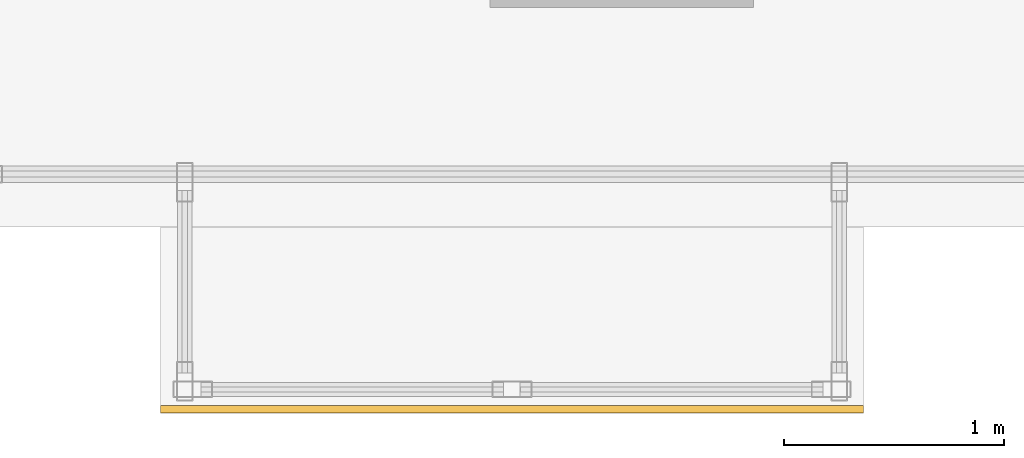
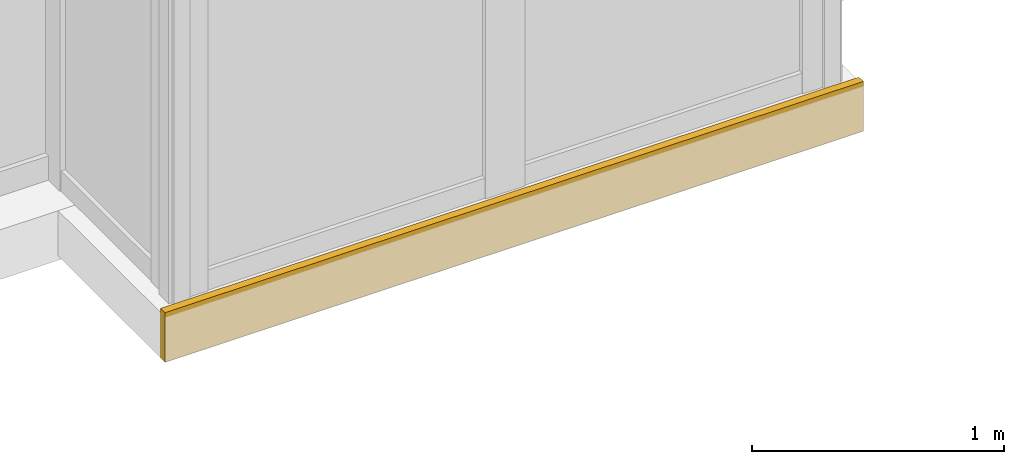
# One storey, part 26 of 27: 1 covering.
"""IFC4 building model written with IfcOpenShell, lengths in metres."""

import ifcopenshell
import ifcopenshell.guid

model = None  # the IFC model being written
_history = None  # IfcOwnerHistory: only IFC2X3 demands one
_inside = {}  # id of a spatial element -> (the spatial element, [elements in it])
_under = {}  # id of a project, library or spatial element -> (it, [spatial elements below it])
_declared = {}  # id of a project -> (the project, [libraries it declares])
_typed = {}  # id of a type object -> (the type object, [elements of that type])
_made_of = {}  # id of a material, layer set ... -> (it, [elements and type objects made of it])


def new_model(schema):
    """Start an empty IFC model of exactly this schema.

    Asked for "IFC4X3", IfcOpenShell would pick the latest addendum, in which some entities
    have other attributes; the version numbers below select the first issue.
    IFC2X3 requires an IfcOwnerHistory on every rooted entity: one is made here for all.
    """
    global model, _history
    if schema == "IFC4X3":
        model = ifcopenshell.file(schema_version=(4, 3, 0, 0))
    else:
        model = ifcopenshell.file(schema=schema)
    _inside.clear()
    _under.clear()
    _declared.clear()
    _typed.clear()
    _made_of.clear()
    _history = None
    if model.schema == "IFC2X3":
        org = make("IfcOrganization", Name="unknown")
        user = make(
            "IfcPersonAndOrganization",
            ThePerson=make("IfcPerson", FamilyName="unknown"),
            TheOrganization=org,
        )
        app = make(
            "IfcApplication",
            ApplicationDeveloper=org,
            Version="unknown",
            ApplicationFullName="unknown",
            ApplicationIdentifier="unknown",
        )
        _history = make(
            "IfcOwnerHistory",
            OwningUser=user,
            OwningApplication=app,
            ChangeAction="ADDED",
            CreationDate=0,
        )
    return model


def make(cls, **values):
    """One entity of the class cls with the attributes given. An attribute that is None is left unset."""
    return model.create_entity(
        cls, **{name: value for name, value in values.items() if value is not None}
    )


def rooted(cls, **values):
    """An entity with a GlobalId (a new one), such as an element, a storey or a relation."""
    return make(cls, GlobalId=ifcopenshell.guid.new(), OwnerHistory=_history, **values)


def si_unit(unit_type, name, prefix=None):
    """IfcSIUnit, for example si_unit("LENGTHUNIT", "METRE", prefix="MILLI")."""
    return make("IfcSIUnit", UnitType=unit_type, Prefix=prefix, Name=name)


def assignment(units):
    """IfcUnitAssignment: the units of a project."""
    return None if units is None else make("IfcUnitAssignment", Units=units)


def point(xyz):
    """IfcCartesianPoint."""
    return None if xyz is None else make("IfcCartesianPoint", Coordinates=xyz)


def direction(xyz):
    """IfcDirection."""
    return None if xyz is None else make("IfcDirection", DirectionRatios=xyz)


def frame(location, z_axis=None, x_axis=None):
    """IfcAxis2Placement3D, a coordinate frame: its origin and axes. An axis left out is left unset."""
    return make(
        "IfcAxis2Placement3D",
        Location=point(location),
        Axis=direction(z_axis),
        RefDirection=direction(x_axis),
    )


def frame_2d(location, x_axis=None):
    """IfcAxis2Placement2D, a coordinate frame in the plane: its origin and x axis."""
    return make(
        "IfcAxis2Placement2D", Location=point(location), RefDirection=direction(x_axis)
    )


def origin():
    """The frame at (0, 0, 0) with its axes left unset."""
    return frame((0.0, 0.0, 0.0))


def origin_2d():
    """The frame at (0, 0) in the plane with its x axis left unset."""
    return frame_2d((0.0, 0.0))


def place(relative_to, where):
    """IfcLocalPlacement: puts the frame where relative to a parent placement (None: the world)."""
    return make(
        "IfcLocalPlacement", PlacementRelTo=relative_to, RelativePlacement=where
    )


def context(
    kind, dimensions, precision=None, world=None, true_north=None, identifier=None
):
    """IfcGeometricRepresentationContext, for example the 3D "Model" context."""
    return make(
        "IfcGeometricRepresentationContext",
        ContextIdentifier=identifier,
        ContextType=kind,
        CoordinateSpaceDimension=dimensions,
        Precision=precision,
        WorldCoordinateSystem=world,
        TrueNorth=true_north,
    )


def subcontext(parent, identifier, kind, view, scale=None):
    """IfcGeometricRepresentationSubContext, for example "Body" below "Model"."""
    return make(
        "IfcGeometricRepresentationSubContext",
        ContextIdentifier=identifier,
        ContextType=kind,
        ParentContext=parent,
        TargetScale=scale,
        TargetView=view,
    )


def project(units=None, contexts=None):
    """IfcProject with its units and contexts."""
    return rooted(
        "IfcProject",
        Name="project",
        RepresentationContexts=contexts,
        UnitsInContext=assignment(units),
    )


def spatial(cls, under=None, at=None, **own):
    """A site, building, storey or space (cls), placed at a placement, below another one or the project."""
    s = rooted(cls, ObjectPlacement=at, **own)
    if under is not None:
        _under.setdefault(under.id(), (under, []))[1].append(s)
    return s


def profile(cls, at=None, kind="AREA", **sizes):
    """A parametric profile (cls). Its sizes go by their IFC names, for example OverallWidth=200.0."""
    return make(cls, ProfileType=kind, Position=at, **sizes)


def rectangle(**sizes):
    """IfcRectangleProfileDef."""
    return profile("IfcRectangleProfileDef", **sizes)


def extrude(swept, where, along, depth):
    """IfcExtrudedAreaSolid: the profile swept, set in the frame where, extruded along a direction by depth."""
    return make(
        "IfcExtrudedAreaSolid",
        SweptArea=swept,
        Position=where,
        ExtrudedDirection=direction(along),
        Depth=depth,
    )


def shape(context_of_items, identifier, shape_type, items):
    """IfcShapeRepresentation: the items that make up one representation, for example the "Body"."""
    return make(
        "IfcShapeRepresentation",
        ContextOfItems=context_of_items,
        RepresentationIdentifier=identifier,
        RepresentationType=shape_type,
        Items=items,
    )


def material(Name=None, Category=None):
    """IfcMaterial."""
    return make("IfcMaterial", Name=Name, Category=Category)


def layer(
    of_material, thickness, ventilated=None, Name=None, Category=None, Priority=None
):
    """IfcMaterialLayer: one layer of a wall or slab, of a material (None: an air gap)."""
    return make(
        "IfcMaterialLayer",
        Material=of_material,
        LayerThickness=thickness,
        IsVentilated=ventilated,
        Name=Name,
        Category=Category,
        Priority=Priority,
    )


def layer_set(layers, Name=None):
    """IfcMaterialLayerSet."""
    return make("IfcMaterialLayerSet", MaterialLayers=layers, LayerSetName=Name)


def made_of(thing, what):
    """Note that an element or type object is made of a material, layer set ...; save() writes the relation."""
    if what is not None:
        _made_of.setdefault(what.id(), (what, []))[1].append(thing)
    return thing


def type_object(cls, material=None, **own):
    """A type object (cls), such as IfcWallType, which elements share."""
    return made_of(rooted(cls, **own), material)


def element(
    cls,
    number,
    at=None,
    inside=None,
    cuts=None,
    type_object=None,
    material=None,
    context=None,
    identifier="Body",
    shape_type=None,
    held_by="IfcProductDefinitionShape",
    body=None,
    shapes=None,
    **own,
):
    """One element of the class cls, such as IfcWall. Its Tag is "e" and its number.

    at: its placement. inside: the storey or other place that contains it. cuts: it is an
    opening in that element (IfcRelVoidsElement). A single representation is given by context,
    identifier, shape_type and body (its items); several are given by shapes. held_by: the class
    of the entity that holds the representations. save() writes the other relations.
    """
    e = rooted(cls, Tag="e%d" % number, ObjectPlacement=at, **own)
    if body is not None:
        shapes = [shape(context, identifier, shape_type, body)]
    if shapes is not None:
        e.Representation = make(held_by, Representations=shapes)
    if inside is not None:
        _inside.setdefault(inside.id(), (inside, []))[1].append(e)
    if cuts is not None:
        rooted(
            "IfcRelVoidsElement", RelatingBuildingElement=cuts, RelatedOpeningElement=e
        )
    if type_object is not None:
        _typed.setdefault(type_object.id(), (type_object, []))[1].append(e)
    return made_of(e, material)


def aggregate(whole, parts):
    """IfcRelAggregates: a whole, such as a stair, and the parts it consists of."""
    return rooted("IfcRelAggregates", RelatingObject=whole, RelatedObjects=parts)


def save(model, path):
    """Write the relations noted so far, then the file.

    IfcRelAggregates (storeys below a building ...), IfcRelContainedInSpatialStructure (elements
    in a storey), IfcRelDefinesByType, IfcRelAssociatesMaterial and IfcRelDeclares: one each for
    every whole, place, type object, material and project.
    """
    for whole, parts in _under.values():
        aggregate(whole, parts)
    for where, things in _inside.values():
        rooted(
            "IfcRelContainedInSpatialStructure",
            RelatedElements=things,
            RelatingStructure=where,
        )
    for kind, things in _typed.values():
        rooted("IfcRelDefinesByType", RelatedObjects=things, RelatingType=kind)
    for what, things in _made_of.values():
        rooted("IfcRelAssociatesMaterial", RelatedObjects=things, RelatingMaterial=what)
    for by, libraries in _declared.values():
        rooted("IfcRelDeclares", RelatingContext=by, RelatedDefinitions=libraries)
    model.write(path)


model = new_model("IFC4")

# Units and contexts
model_context = context("Model", 3, precision=1e-05, world=origin(), true_north=direction((0.0, 1.0)))
body_context = subcontext(model_context, "Body", "Model", "MODEL_VIEW")
ifc_project = project(units=[si_unit("LENGTHUNIT", "METRE"), si_unit("AREAUNIT", "SQUARE_METRE"), si_unit("VOLUMEUNIT", "CUBIC_METRE"), si_unit("PLANEANGLEUNIT", "RADIAN"), si_unit("MASSUNIT", "GRAM", prefix="KILO")], contexts=[model_context])

# Site, building, storey
site_placement = place(None, origin())
site = spatial("IfcSite", under=ifc_project, at=site_placement, CompositionType="ELEMENT")
building_placement = place(site_placement, origin())
building = spatial("IfcBuilding", under=site, at=building_placement, Name="Kolvaren Waterfront Exchange", CompositionType="ELEMENT")
storey_placement = place(building_placement, frame((0.0, 0.0, 191.800048828125)))
storey = spatial("IfcBuildingStorey", under=building, at=storey_placement, Name="L49", CompositionType="ELEMENT", Elevation=191.800048828125)

# Covering
ifc_material = material(Name="Anodised bronze fascia aluminium", Category="aluminium")
ifc_layer = layer(ifc_material, 0.034912109375, Name="Anodised bronze fascia aluminium")
ifc_layer_set = layer_set([ifc_layer], Name="Anodised bronze fascia aluminium")
covering_type = type_object("IfcCoveringType", Name="ARC-CLAD-BRONZE-35", PredefinedType="CLADDING", material=ifc_layer_set)
covering_placement = place(storey_placement, frame((36.300048828125, 2.77001953125, -0.22021484375), z_axis=(0.0, 0.0, 1.0), x_axis=(1.0, 0.0, 0.0)))
element("IfcCovering", 1, at=covering_placement, inside=storey, type_object=covering_type, Name="L49 ribbed anodised bronze bay-box fascia", PredefinedType="CLADDING", context=body_context, shape_type="SweptSolid", body=[
    extrude(rectangle(XDim=3.199951171875, YDim=0.034912109375, at=origin_2d()), origin(), (0.0, 0.0, 1.0), 0.239990234375),
])

save(model, "model.ifc")
